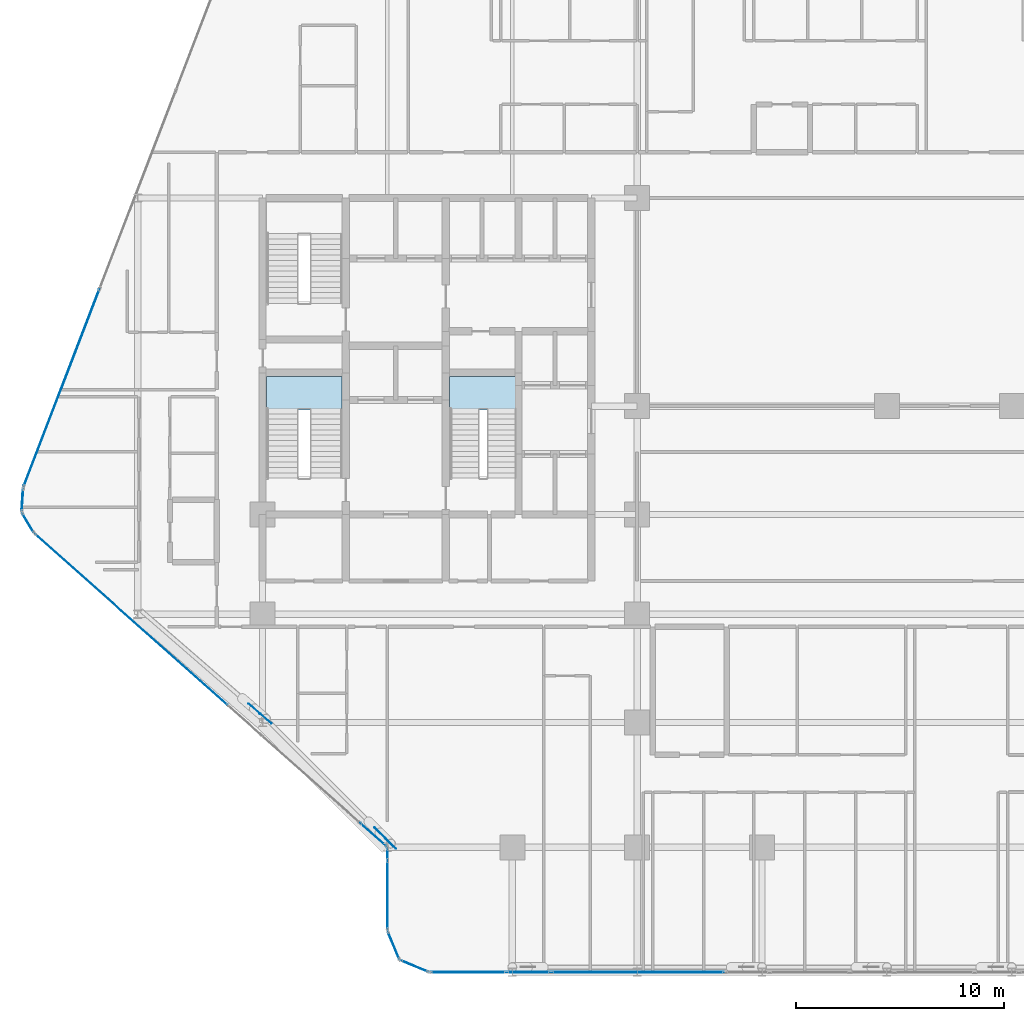
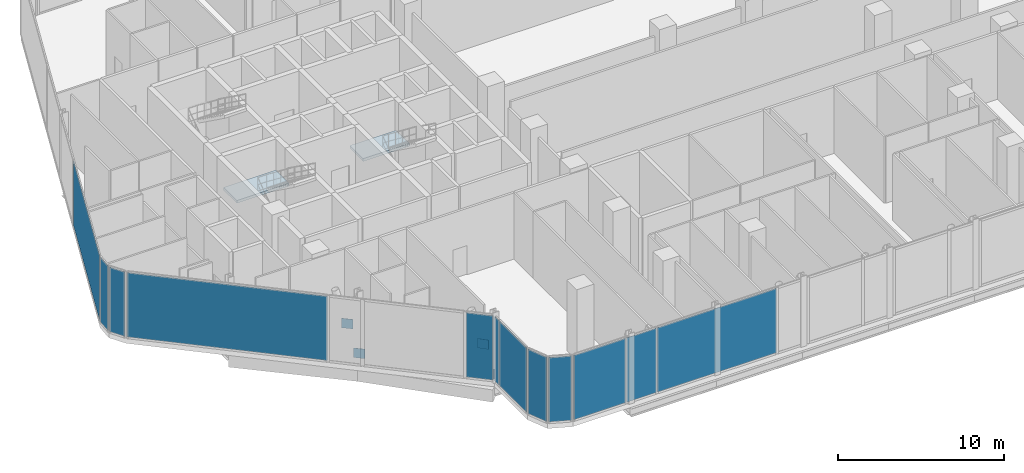
# One storey, part 22 of 36: 16 plates, 2 slabs, 14 elements without a shape of their own.
"""IFC4 building model written with IfcOpenShell, lengths in metres."""

from ifc_helpers import new_model, si_unit, direction, frame, origin, origin_2d, place, context, subcontext, project, spatial, polyline, rectangle, outline, extrude, material, layer, layer_set, type_object, element, aggregate, save


model = new_model("IFC4")

# Units and contexts
model_context = context("Model", 3, precision=1e-05, world=origin(), true_north=direction((0.0, 1.0)))
body_context = subcontext(model_context, "Body", "Model", "MODEL_VIEW")
ifc_project = project(units=[si_unit("LENGTHUNIT", "METRE"), si_unit("AREAUNIT", "SQUARE_METRE"), si_unit("VOLUMEUNIT", "CUBIC_METRE"), si_unit("PLANEANGLEUNIT", "RADIAN"), si_unit("MASSUNIT", "GRAM", prefix="KILO")], contexts=[model_context])

# Site, building, storey
site_placement = place(None, origin())
site = spatial("IfcSite", under=ifc_project, at=site_placement, CompositionType="ELEMENT")
building_placement = place(site_placement, origin())
building = spatial("IfcBuilding", under=site, at=building_placement, Name="Keshet Zoharim Tower", CompositionType="ELEMENT")
storey_placement = place(building_placement, frame((0.0, 0.0, 81.199951171875)))
storey = spatial("IfcBuildingStorey", under=building, at=storey_placement, Name="L19", CompositionType="ELEMENT", Elevation=81.199951171875)

# Curtain wall, plate
ifc_material_1 = material(Name="Aluminium 6063-T6", Category="aluminium")
ifc_layer_1 = layer(ifc_material_1, 0.179931640625)
ifc_layer_set_1 = layer_set([ifc_layer_1], Name="Aluminium 6063-T6")
curtain_wall_type = type_object("IfcCurtainWallType", Name="CW-SYS-01", PredefinedType="NOTDEFINED", material=ifc_layer_set_1)
curtain_wall_1_placement = place(storey_placement, origin())
curtain_wall_1 = element("IfcCurtainWall", 1, at=curtain_wall_1_placement, inside=storey, type_object=curtain_wall_type, Name="L19 Unitised Curtain Wall 01 Part 4", PredefinedType="NOTDEFINED")
ifc_material_2 = material(Name="Insulated Low-E Clear Glass", Category="glass")
ifc_layer_2 = layer(ifc_material_2, 0.035888671875)
ifc_layer_set_2 = layer_set([ifc_layer_2], Name="Insulated Low-E Clear Glass")
plate_type_1 = type_object("IfcPlateType", Name="CWP-01", PredefinedType="CURTAIN_PANEL", material=ifc_layer_set_2)
plate_1_placement = place(storey_placement, frame((8.698486328125, 17.634521484375, 0.070068359375), z_axis=(0.0, 0.0, 1.0), x_axis=(-0.747407984866, 0.664365339372, 0.0)))
plate_1 = element("IfcPlate", 2, at=plate_1_placement, type_object=plate_type_1, Name="CW-01 panel 1.1", PredefinedType="CURTAIN_PANEL", context=body_context, shape_type="SweptSolid", body=[
    extrude(rectangle(XDim=12.33935546875, YDim=0.035888671875, at=origin_2d()), origin(), (0.0, 0.0, 1.0), 4.7451171875),
])
aggregate(curtain_wall_1, [plate_1])

curtain_wall_2_placement = place(storey_placement, origin())
curtain_wall_2 = element("IfcCurtainWall", 3, at=curtain_wall_2_placement, inside=storey, type_object=curtain_wall_type, Name="L19 Unitised Curtain Wall 02", PredefinedType="NOTDEFINED")
plate_2_placement = place(storey_placement, frame((3.7275390625, 22.291015625, 0.070068359375), z_axis=(0.0, 0.0, 1.0), x_axis=(-0.515604947933, 0.856826433805, 0.0)))
plate_2 = element("IfcPlate", 4, at=plate_2_placement, type_object=plate_type_1, Name="CW-01 panel 1.1", PredefinedType="CURTAIN_PANEL", context=body_context, shape_type="SweptSolid", body=[
    extrude(rectangle(XDim=1.052734375, YDim=0.035888671875, at=origin_2d()), origin(), (0.0, 0.0, 1.0), 4.7451171875),
])
aggregate(curtain_wall_2, [plate_2])

curtain_wall_3_placement = place(storey_placement, origin())
curtain_wall_3 = element("IfcCurtainWall", 5, at=curtain_wall_3_placement, inside=storey, type_object=curtain_wall_type, Name="L19 Unitised Curtain Wall 03", PredefinedType="NOTDEFINED")
plate_3_placement = place(storey_placement, frame((3.45849609375, 23.3974609375, 0.070068359375), z_axis=(0.0, 0.0, 1.0), x_axis=(0.064516859374, 0.997916617186, 0.0)))
plate_3 = element("IfcPlate", 6, at=plate_3_placement, type_object=plate_type_1, Name="CW-01 panel 1.1", PredefinedType="CURTAIN_PANEL", context=body_context, shape_type="SweptSolid", body=[
    extrude(rectangle(XDim=1.053466796875, YDim=0.035888671875, at=origin_2d()), origin(), (0.0, 0.0, 1.0), 4.7451171875),
])
aggregate(curtain_wall_3, [plate_3])

curtain_wall_4_placement = place(storey_placement, origin())
curtain_wall_4 = element("IfcCurtainWall", 7, at=curtain_wall_4_placement, inside=storey, type_object=curtain_wall_type, Name="L19 Unitised Curtain Wall 04", PredefinedType="NOTDEFINED")
plate_4_placement = place(storey_placement, frame((5.33837890625, 28.7802734375, 0.070068359375), z_axis=(0.0, 0.0, 1.0), x_axis=(0.358990003907, 0.933341404361, 0.0)))
plate_4 = element("IfcPlate", 8, at=plate_4_placement, type_object=plate_type_1, Name="CW-01 panel 1.1", PredefinedType="CURTAIN_PANEL", context=body_context, shape_type="SweptSolid", body=[
    extrude(rectangle(XDim=10.1181640625, YDim=0.035888671875, at=origin_2d()), origin(), (0.0, 0.0, 1.0), 4.7451171875),
])
aggregate(curtain_wall_4, [plate_4])

curtain_wall_5_placement = place(storey_placement, origin())
curtain_wall_5 = element("IfcCurtainWall", 9, at=curtain_wall_5_placement, inside=storey, type_object=curtain_wall_type, Name="L19 Unitised Curtain Wall 26 Part 8", PredefinedType="NOTDEFINED")
plate_5_placement = place(storey_placement, frame((33.034912109375, 0.699951171875, 0.070068359375), z_axis=(0.0, 0.0, 1.0), x_axis=(-1.0, 0.0, 0.0)))
plate_5 = element("IfcPlate", 10, at=plate_5_placement, type_object=plate_type_1, Name="CW-01 panel 1.1", PredefinedType="CURTAIN_PANEL", context=body_context, shape_type="SweptSolid", body=[
    extrude(rectangle(XDim=8.293212890625, YDim=0.035888671875, at=origin_2d()), origin(), (0.0, 0.0, 1.0), 4.7451171875),
])
aggregate(curtain_wall_5, [plate_5])

curtain_wall_6_placement = place(storey_placement, origin())
curtain_wall_6 = element("IfcCurtainWall", 11, at=curtain_wall_6_placement, inside=storey, type_object=curtain_wall_type, Name="L19 Unitised Curtain Wall 26 Part 10", PredefinedType="NOTDEFINED")
plate_6_placement = place(storey_placement, frame((24.875732421875, 0.699951171875, 0.070068359375), z_axis=(0.0, 0.0, 1.0), x_axis=(-1.0, 0.0, 0.0)))
plate_6 = element("IfcPlate", 12, at=plate_6_placement, type_object=plate_type_1, Name="CW-01 panel 1.1", PredefinedType="CURTAIN_PANEL", context=body_context, shape_type="SweptSolid", body=[
    extrude(rectangle(XDim=3.611572265625, YDim=0.035888671875, at=origin_2d()), origin(), (0.0, 0.0, 1.0), 4.7451171875),
])
aggregate(curtain_wall_6, [plate_6])

curtain_wall_7_placement = place(storey_placement, origin())
curtain_wall_7 = element("IfcCurtainWall", 13, at=curtain_wall_7_placement, inside=storey, type_object=curtain_wall_type, Name="L19 Unitised Curtain Wall 27", PredefinedType="NOTDEFINED")
plate_7_placement = place(storey_placement, frame((22.29296875, 0.992919921875, 0.070068359375), z_axis=(0.0, 0.0, 1.0), x_axis=(-0.92380975372, 0.382851849847, 0.0)))
plate_7 = element("IfcPlate", 14, at=plate_7_placement, type_object=plate_type_1, Name="CW-01 panel 1.1", PredefinedType="CURTAIN_PANEL", context=body_context, shape_type="SweptSolid", body=[
    extrude(rectangle(XDim=1.390625, YDim=0.035888671875, at=origin_2d()), origin(), (0.0, 0.0, 1.0), 4.7451171875),
])
aggregate(curtain_wall_7, [plate_7])

curtain_wall_8_placement = place(storey_placement, origin())
curtain_wall_8 = element("IfcCurtainWall", 15, at=curtain_wall_8_placement, inside=storey, type_object=curtain_wall_type, Name="L19 Unitised Curtain Wall 28", PredefinedType="NOTDEFINED")
plate_8_placement = place(storey_placement, frame((21.29296875, 1.992919921875, 0.070068359375), z_axis=(0.0, 0.0, 1.0), x_axis=(-0.382851849847, 0.92380975372, 0.0)))
plate_8 = element("IfcPlate", 16, at=plate_8_placement, type_object=plate_type_1, Name="CW-01 panel 1.1", PredefinedType="CURTAIN_PANEL", context=body_context, shape_type="SweptSolid", body=[
    extrude(rectangle(XDim=1.390625, YDim=0.035888671875, at=origin_2d()), origin(), (0.0, 0.0, 1.0), 4.7451171875),
])
aggregate(curtain_wall_8, [plate_8])

curtain_wall_9_placement = place(storey_placement, origin())
curtain_wall_9 = element("IfcCurtainWall", 17, at=curtain_wall_9_placement, inside=storey, type_object=curtain_wall_type, Name="L19 Unitised Curtain Wall 29", PredefinedType="NOTDEFINED")
plate_9_placement = place(storey_placement, frame((21.0, 4.39990234375, 0.070068359375), z_axis=(0.0, 0.0, 1.0), x_axis=(0.0, 1.0, 0.0)))
plate_9 = element("IfcPlate", 18, at=plate_9_placement, type_object=plate_type_1, Name="CW-01 panel 1.1", PredefinedType="CURTAIN_PANEL", context=body_context, shape_type="SweptSolid", body=[
    extrude(rectangle(XDim=3.260009765625, YDim=0.035888671875, at=origin_2d()), origin(), (0.0, 0.0, 1.0), 4.7451171875),
])
aggregate(curtain_wall_9, [plate_9])

curtain_wall_10_placement = place(storey_placement, origin())
curtain_wall_10 = element("IfcCurtainWall", 19, at=curtain_wall_10_placement, inside=storey, type_object=curtain_wall_type, Name="L19 Unitised Curtain Wall 01", PredefinedType="NOTDEFINED")
ifc_material_3 = material(Name="Insulated Aluminium Spandrel Panel", Category="aluminium")
ifc_layer_3 = layer(ifc_material_3, 0.035888671875)
ifc_layer_set_3 = layer_set([ifc_layer_3], Name="Insulated Aluminium Spandrel Panel")
plate_type_2 = type_object("IfcPlateType", Name="CWP-04", PredefinedType="CURTAIN_PANEL", material=ifc_layer_set_3)
plate_10_placement = place(storey_placement, frame((20.3212890625, 7.303466796875, 0.070068359375), z_axis=(0.0, 0.0, 1.0), x_axis=(-0.747397168972, 0.664377507004, 0.0)))
plate_10 = element("IfcPlate", 20, at=plate_10_placement, type_object=plate_type_2, Name="CW-01 spandrel panel 1.1", PredefinedType="CURTAIN_PANEL", context=body_context, shape_type="SweptSolid", body=[
    extrude(rectangle(XDim=1.676513671875, YDim=0.035888671875, at=origin_2d()), origin(), (0.0, 0.0, 1.0), 4.7451171875),
])
aggregate(curtain_wall_10, [plate_10])

curtain_wall_11_placement = place(storey_placement, origin())
curtain_wall_11 = element("IfcCurtainWall", 21, at=curtain_wall_11_placement, inside=storey, type_object=curtain_wall_type, Name="L19 Unitised Curtain Wall 26 Part 9", PredefinedType="NOTDEFINED")
plate_11_placement = place(storey_placement, frame((27.784912109375, 0.699951171875, 0.070068359375), z_axis=(0.0, 0.0, 1.0), x_axis=(-1.0, 0.0, 0.0)))
plate_11 = element("IfcPlate", 22, at=plate_11_placement, type_object=plate_type_2, Name="CW-01 spandrel panel 1.1", PredefinedType="CURTAIN_PANEL", context=body_context, shape_type="SweptSolid", body=[
    extrude(rectangle(XDim=2.06689453125, YDim=0.035888671875, at=origin_2d()), origin(), (0.0, 0.0, 1.0), 4.7451171875),
])
aggregate(curtain_wall_11, [plate_11])

curtain_wall_12_placement = place(storey_placement, origin())
curtain_wall_12 = element("IfcCurtainWall", 23, at=curtain_wall_12_placement, inside=storey, type_object=curtain_wall_type, Name="L19 Unitised Curtain Wall 29 Part 2", PredefinedType="NOTDEFINED")
plate_12_placement = place(storey_placement, frame((21.0, 6.364990234375, 0.070068359375), z_axis=(0.0, 0.0, 1.0), x_axis=(0.0, 1.0, 0.0)))
plate_12 = element("IfcPlate", 24, at=plate_12_placement, type_object=plate_type_2, Name="CW-01 spandrel panel 1.1", PredefinedType="CURTAIN_PANEL", context=body_context, shape_type="SweptSolid", body=[
    extrude(rectangle(XDim=0.530029296875, YDim=0.035888671875, at=origin_2d()), origin(), (0.0, 0.0, 1.0), 4.7451171875),
])
aggregate(curtain_wall_12, [plate_12])

# Plates
ifc_material_4 = material(Name="Steel S355", Category="steel")
ifc_layer_4 = layer(ifc_material_4, 0.02490234375)
ifc_layer_set_4 = layer_set([ifc_layer_4], Name="Steel S355")
plate_type_3 = type_object("IfcPlateType", Name="PL-GUS-25", PredefinedType="SHEET", material=ifc_layer_set_4)
for number, where, z_axis, x_axis, name in (
    (25, (20.62841796875, 7.409423828125, 2.0927734375), (0.0, 0.0, 1.0), (-0.707106781187, 0.707106781187, 0.0), "L19 Belt Truss X-Crossing Gusset 01"),
    (26, (21.158935546875, 6.87890625, 0.0), (0.0, 0.0, 1.0), (-0.707106781187, 0.707106781187, 0.0), "L19 Belt Truss Node Gusset 01"),
    (27, (14.592041015625, 13.3701171875, 2.0927734375), (0.0, 0.0, 1.0), (-0.75568908279, 0.654930538418, 0.0), "L19 Belt Truss X-Crossing Gusset 02"),
    (28, (15.158935546875, 12.87890625, 0.0), (0.0, 0.0, 1.0), (-0.75568908279, 0.654930538418, 0.0), "L19 Belt Truss Node Gusset 02"),
):
    element("IfcPlate", number, at=place(storey_placement, frame(where, z_axis=z_axis, x_axis=x_axis)), inside=storey, type_object=plate_type_3, Name=name, PredefinedType="SHEET", context=body_context, shape_type="SweptSolid", body=[
        extrude(rectangle(XDim=0.699951171875, YDim=0.02490234375, at=origin_2d()), origin(), (0.0, 0.0, 1.0), 0.699951171875),
    ])

# Stair, slab
ifc_material_5 = material(Name="Concrete C50/60", Category="concrete")
stair_type = type_object("IfcStairType", Name="STR-EXIT-135", PredefinedType="HALF_TURN_STAIR", material=ifc_material_5)
stair_1_placement = place(storey_placement, origin())
stair_1 = element("IfcStair", 29, at=stair_1_placement, inside=storey, type_object=stair_type, Name="L19 Enclosed Exit Stair ST-01", PredefinedType="HALF_TURN_STAIR")
ifc_layer_5 = layer(ifc_material_5, 0.199951171875)
ifc_layer_set_5 = layer_set([ifc_layer_5], Name="Concrete C50/60")
slab_type = type_object("IfcSlabType", Name="SLB-LND-200", PredefinedType="LANDING", material=ifc_layer_set_5)
slab_1_placement = place(storey_placement, frame((0.0, 0.0, 2.400146484375)))
slab_1 = element("IfcSlab", 30, at=slab_1_placement, type_object=slab_type, Name="ST-01 landing 1", PredefinedType="LANDING", context=body_context, shape_type="SweptSolid", body=[
    extrude(outline(polyline([(15.179931640625, 27.714111328125), (18.820068359375, 27.714111328125), (18.820068359375, 29.320068359375), (15.179931640625, 29.320068359375), (15.179931640625, 27.714111328125)])), origin(), (0.0, 0.0, 1.0), 0.199951171875),
])
aggregate(stair_1, [slab_1])

stair_2_placement = place(storey_placement, origin())
stair_2 = element("IfcStair", 31, at=stair_2_placement, inside=storey, type_object=stair_type, Name="L19 Enclosed Exit Stair ST-03", PredefinedType="HALF_TURN_STAIR")
slab_2_placement = place(storey_placement, frame((0.0, 0.0, 2.400146484375)))
slab_2 = element("IfcSlab", 32, at=slab_2_placement, type_object=slab_type, Name="ST-03 landing 1", PredefinedType="LANDING", context=body_context, shape_type="SweptSolid", body=[
    extrude(outline(polyline([(23.97998046875, 27.714111328125), (27.219970703125, 27.714111328125), (27.219970703125, 29.320068359375), (23.97998046875, 29.320068359375), (23.97998046875, 27.714111328125)])), origin(), (0.0, 0.0, 1.0), 0.199951171875),
])
aggregate(stair_2, [slab_2])

save(model, "model.ifc")
